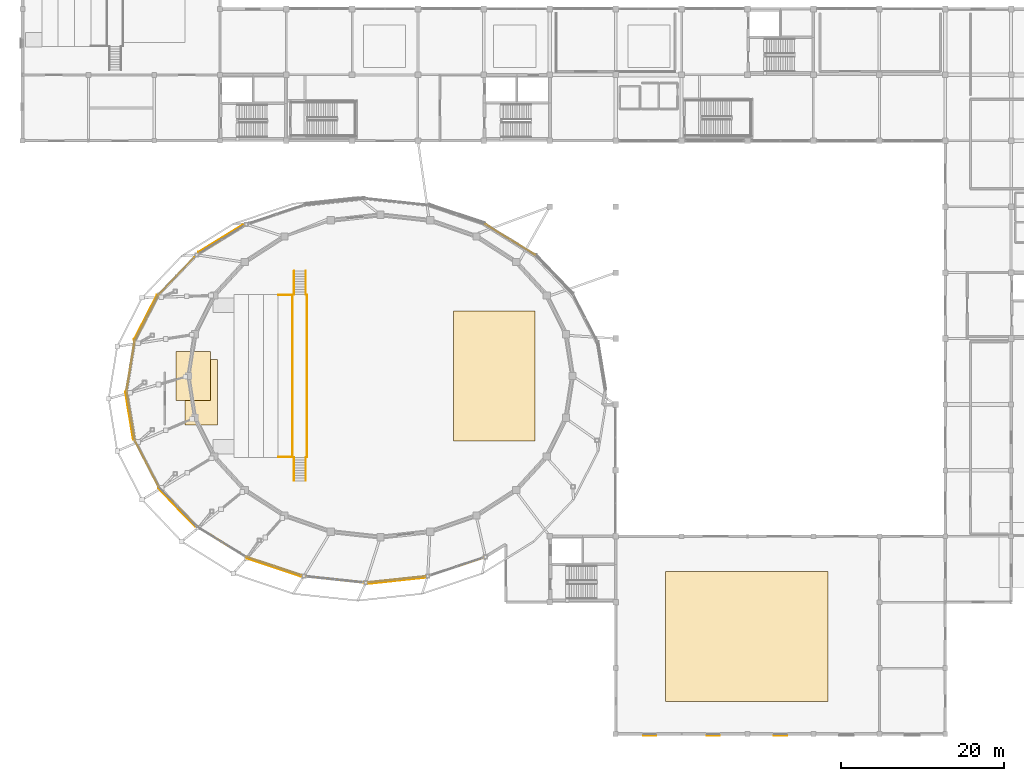
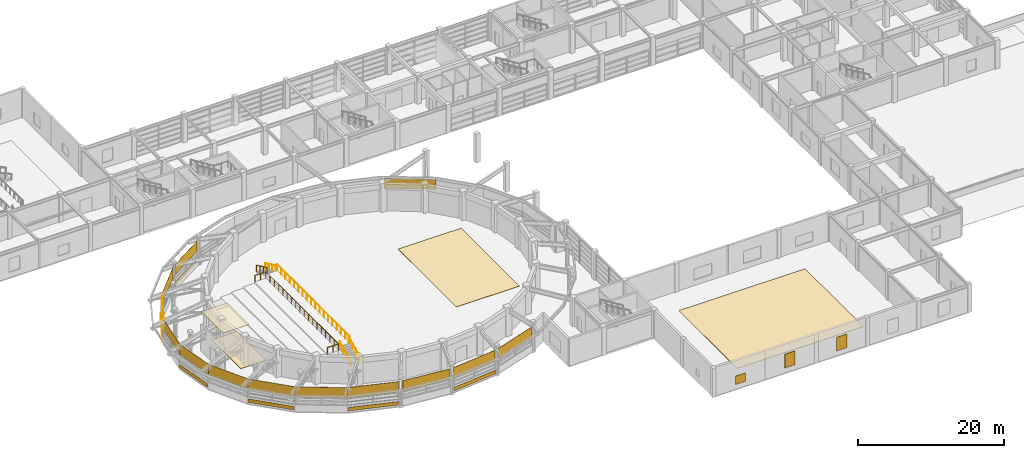
# One storey, part 46 of 56: 23 coverings, 6 railings, 3 shading devices.
"""IFC4 building model written with IfcOpenShell, lengths in metres."""

from ifc_helpers import new_model, si_unit, direction, frame, origin, origin_2d, place, context, subcontext, project, spatial, rectangle, circle, extrude, material, layer, layer_set, type_object, element, save


model = new_model("IFC4")

# Units and contexts
model_context = context("Model", 3, precision=1e-05, world=origin(), true_north=direction((0.0, 1.0)))
body_context = subcontext(model_context, "Body", "Model", "MODEL_VIEW")
ifc_project = project(units=[si_unit("LENGTHUNIT", "METRE"), si_unit("AREAUNIT", "SQUARE_METRE"), si_unit("VOLUMEUNIT", "CUBIC_METRE"), si_unit("PLANEANGLEUNIT", "RADIAN"), si_unit("MASSUNIT", "GRAM", prefix="KILO")], contexts=[model_context])

# Site, building, storey
site_placement = place(None, origin())
site = spatial("IfcSite", under=ifc_project, at=site_placement, CompositionType="ELEMENT")
building_placement = place(site_placement, origin())
building = spatial("IfcBuilding", under=site, at=building_placement, Name="Parian Resonance Hall", CompositionType="ELEMENT")
storey_placement = place(building_placement, frame((0.0, 0.0, 5.39990234375)))
storey = spatial("IfcBuildingStorey", under=building, at=storey_placement, Name="L01", CompositionType="ELEMENT", Elevation=5.39990234375)

# Coverings
ifc_material_1 = material(Name="Perforated mahogany and mineral-wool acoustic ceiling")
ifc_layer_1 = layer(ifc_material_1, 0.0400390625)
ifc_layer_set_1 = layer_set([ifc_layer_1], Name="Perforated mahogany and mineral-wool acoustic ceiling")
covering_type_1 = type_object("IfcCoveringType", Name="COV-CEIL-ACOUSTIC", PredefinedType="CEILING", material=ifc_layer_set_1)
covering_1_placement = place(storey_placement, frame((21.0, 44.0, 4.4921875), z_axis=(0.0, 0.0, 1.0), x_axis=(1.0, 0.0, 0.0)))
element("IfcCovering", 1, at=covering_1_placement, inside=storey, type_object=covering_type_1, Name="Suspended mahogany acoustic ceiling canopy L01-01", PredefinedType="CEILING", context=body_context, shape_type="SweptSolid", body=[
    extrude(rectangle(XDim=4.199951171875, YDim=6.0, at=origin_2d()), origin(), (0.0, 0.0, 1.0), 0.0400390625),
])
ifc_material_2 = material(Name="Sprung Philippine narra hardwood stage flooring", Category="wood")
ifc_layer_2 = layer(ifc_material_2, 0.030029296875)
ifc_layer_set_2 = layer_set([ifc_layer_2], Name="Sprung Philippine narra hardwood stage flooring")
covering_type_2 = type_object("IfcCoveringType", Name="COV-FLOOR-NARRA", PredefinedType="FLOORING", material=ifc_layer_set_2)
covering_2_placement = place(storey_placement, frame((58.0, 44.0, 0.0), z_axis=(0.0, 0.0, 1.0), x_axis=(1.0, 0.0, 0.0)))
element("IfcCovering", 2, at=covering_2_placement, inside=storey, type_object=covering_type_2, Name="Concert Stage sprung narra flooring", PredefinedType="FLOORING", context=body_context, shape_type="SweptSolid", body=[
    extrude(rectangle(XDim=10.0, YDim=16.0, at=origin_2d()), origin(), (0.0, 0.0, 1.0), 0.030029296875),
])
covering_3_placement = place(storey_placement, frame((89.0, 12.0, 0.0), z_axis=(0.0, 0.0, 1.0), x_axis=(1.0, 0.0, 0.0)))
element("IfcCovering", 3, at=covering_3_placement, inside=storey, type_object=covering_type_2, Name="Orchestra Rehearsal Room sprung flooring", PredefinedType="FLOORING", context=body_context, shape_type="SweptSolid", body=[
    extrude(rectangle(XDim=20.0, YDim=16.0, at=origin_2d()), origin(), (0.0, 0.0, 1.0), 0.030029296875),
])
ifc_material_3 = material(Name="Cebu marble-chip lime terrazzo flooring", Category="masonry")
ifc_layer_3 = layer(ifc_material_3, 0.030029296875)
ifc_layer_set_3 = layer_set([ifc_layer_3], Name="Cebu marble-chip lime terrazzo flooring")
covering_type_3 = type_object("IfcCoveringType", Name="COV-FLOOR-TERRAZZO", PredefinedType="FLOORING", material=ifc_layer_set_3)
covering_4_placement = place(storey_placement, frame((22.0, 42.0, 0.0), z_axis=(0.0, 0.0, 1.0), x_axis=(1.0, 0.0, 0.0)))
element("IfcCovering", 4, at=covering_4_placement, inside=storey, type_object=covering_type_3, Name="Ring 1 Foyer terrazzo flooring", PredefinedType="FLOORING", context=body_context, shape_type="SweptSolid", body=[
    extrude(rectangle(XDim=4.0, YDim=8.0, at=origin_2d()), origin(), (0.0, 0.0, 1.0), 0.030029296875),
])
ifc_material_4 = material(Name="Polychrome trencadis ceramic mosaic cladding")
ifc_layer_4 = layer(ifc_material_4, 0.030029296875)
ifc_layer_set_4 = layer_set([ifc_layer_4], Name="Polychrome trencadis ceramic mosaic cladding")
covering_type_4 = type_object("IfcCoveringType", Name="COV-MOSAIC-CLAD", PredefinedType="CLADDING", material=ifc_layer_set_4)
covering_5_placement = place(storey_placement, frame((59.944580078125, 60.762939453125, 2.35498046875), z_axis=(0.0, 0.0, 1.0), x_axis=(0.851440559825, -0.524451116011, 0.0)))
element("IfcCovering", 5, at=covering_5_placement, inside=storey, type_object=covering_type_4, Name="Elliptical R1 upper mosaic frieze cladding 04", PredefinedType="CLADDING", context=body_context, shape_type="SweptSolid", body=[
    extrude(rectangle(XDim=7.1513671875, YDim=0.030029296875, at=origin_2d()), origin(), (0.0, 0.0, 1.0), 1.72509765625),
])
covering_6_placement = place(storey_placement, frame((24.3642578125, 60.9111328125, 0.28759765625), z_axis=(0.0, 0.0, 1.0), x_axis=(0.851434152382, 0.524461518281, 0.0)))
element("IfcCovering", 6, at=covering_6_placement, inside=storey, type_object=covering_type_4, Name="Polychrome ceramic mosaic frieze L01-013", PredefinedType="CLADDING", context=body_context, shape_type="SweptSolid", body=[
    extrude(rectangle(XDim=6.41455078125, YDim=0.030029296875, at=origin_2d()), origin(), (0.0, 0.0, 1.0), 0.574951171875),
])
covering_7_placement = place(storey_placement, frame((24.45556640625, 60.762939453125, 2.35498046875), z_axis=(0.0, 0.0, 1.0), x_axis=(0.851437813793, 0.524455574136, 0.0)))
element("IfcCovering", 7, at=covering_7_placement, inside=storey, type_object=covering_type_4, Name="Elliptical R1 upper mosaic frieze cladding 09", PredefinedType="CLADDING", context=body_context, shape_type="SweptSolid", body=[
    extrude(rectangle(XDim=6.4267578125, YDim=0.030029296875, at=origin_2d()), origin(), (0.0, 0.0, 1.0), 1.72509765625),
])
covering_8_placement = place(storey_placement, frame((18.927490234375, 56.28955078125, 2.35498046875), z_axis=(0.0, 0.0, 1.0), x_axis=(0.690990919445, 0.72286343748, 0.0)))
element("IfcCovering", 8, at=covering_8_placement, inside=storey, type_object=covering_type_4, Name="Elliptical R1 upper mosaic frieze cladding 10", PredefinedType="CLADDING", context=body_context, shape_type="SweptSolid", body=[
    extrude(rectangle(XDim=6.334716796875, YDim=0.030029296875, at=origin_2d()), origin(), (0.0, 0.0, 1.0), 1.72509765625),
])
covering_9_placement = place(storey_placement, frame((15.11572265625, 51.23388671875, 0.28759765625), z_axis=(0.0, 0.0, 1.0), x_axis=(0.458562700233, 0.888662056102, 0.0)))
element("IfcCovering", 9, at=covering_9_placement, inside=storey, type_object=covering_type_4, Name="Polychrome ceramic mosaic frieze L01-016", PredefinedType="CLADDING", context=body_context, shape_type="SweptSolid", body=[
    extrude(rectangle(XDim=6.205078125, YDim=0.030029296875, at=origin_2d()), origin(), (0.0, 0.0, 1.0), 0.574951171875),
])
covering_10_placement = place(storey_placement, frame((15.2705078125, 51.154052734375, 2.35498046875), z_axis=(0.0, 0.0, 1.0), x_axis=(0.458562700233, 0.888662056102, 0.0)))
element("IfcCovering", 10, at=covering_10_placement, inside=storey, type_object=covering_type_4, Name="Elliptical R1 upper mosaic frieze cladding 11", PredefinedType="CLADDING", context=body_context, shape_type="SweptSolid", body=[
    extrude(rectangle(XDim=6.405029296875, YDim=0.030029296875, at=origin_2d()), origin(), (0.0, 0.0, 1.0), 1.72509765625),
])
covering_11_placement = place(storey_placement, frame((13.30078125, 45.254150390625, 2.35498046875), z_axis=(0.0, 0.0, 1.0), x_axis=(0.161850117573, 0.986815352253, 0.0)))
element("IfcCovering", 11, at=covering_11_placement, inside=storey, type_object=covering_type_4, Name="Elliptical R1 upper mosaic frieze cladding 12", PredefinedType="CLADDING", context=body_context, shape_type="SweptSolid", body=[
    extrude(rectangle(XDim=6.189697265625, YDim=0.030029296875, at=origin_2d()), origin(), (0.0, 0.0, 1.0), 1.72509765625),
])
covering_12_placement = place(storey_placement, frame((13.129150390625, 39.117919921875, 0.28759765625), z_axis=(0.0, 0.0, 1.0), x_axis=(-0.161850117573, 0.986815352253, 0.0)))
element("IfcCovering", 12, at=covering_12_placement, inside=storey, type_object=covering_type_4, Name="Polychrome ceramic mosaic frieze L01-019", PredefinedType="CLADDING", context=body_context, shape_type="SweptSolid", body=[
    extrude(rectangle(XDim=5.98974609375, YDim=0.030029296875, at=origin_2d()), origin(), (0.0, 0.0, 1.0), 0.574951171875),
])
covering_13_placement = place(storey_placement, frame((13.30078125, 39.14599609375, 2.35498046875), z_axis=(0.0, 0.0, 1.0), x_axis=(-0.161850117573, 0.986815352253, 0.0)))
element("IfcCovering", 13, at=covering_13_placement, inside=storey, type_object=covering_type_4, Name="Elliptical R1 upper mosaic frieze cladding 13", PredefinedType="CLADDING", context=body_context, shape_type="SweptSolid", body=[
    extrude(rectangle(XDim=6.189697265625, YDim=0.030029296875, at=origin_2d()), origin(), (0.0, 0.0, 1.0), 1.72509765625),
])
covering_14_placement = place(storey_placement, frame((15.2705078125, 33.24609375, 2.35498046875), z_axis=(0.0, 0.0, 1.0), x_axis=(-0.458562700233, 0.888662056102, 0.0)))
element("IfcCovering", 14, at=covering_14_placement, inside=storey, type_object=covering_type_4, Name="Elliptical R1 upper mosaic frieze cladding 14", PredefinedType="CLADDING", context=body_context, shape_type="SweptSolid", body=[
    extrude(rectangle(XDim=6.405029296875, YDim=0.030029296875, at=origin_2d()), origin(), (0.0, 0.0, 1.0), 1.72509765625),
])
covering_15_placement = place(storey_placement, frame((18.94921875, 27.8359375, 0.28759765625), z_axis=(0.0, 0.0, 1.0), x_axis=(-0.690992181078, 0.722862231472, 0.0)))
element("IfcCovering", 15, at=covering_15_placement, inside=storey, type_object=covering_type_4, Name="Polychrome ceramic mosaic frieze L01-022", PredefinedType="CLADDING", context=body_context, shape_type="SweptSolid", body=[
    extrude(rectangle(XDim=6.5615234375, YDim=0.030029296875, at=origin_2d()), origin(), (0.0, 0.0, 1.0), 0.574951171875),
])
covering_16_placement = place(storey_placement, frame((19.074951171875, 27.956298828125, 2.35498046875), z_axis=(0.0, 0.0, 1.0), x_axis=(-0.690992181078, 0.722862231472, 0.0)))
element("IfcCovering", 16, at=covering_16_placement, inside=storey, type_object=covering_type_4, Name="Elliptical R1 upper mosaic frieze cladding 15", PredefinedType="CLADDING", context=body_context, shape_type="SweptSolid", body=[
    extrude(rectangle(XDim=6.76171875, YDim=0.030029296875, at=origin_2d()), origin(), (0.0, 0.0, 1.0), 1.72509765625),
])
covering_17_placement = place(storey_placement, frame((24.45556640625, 23.63720703125, 2.35498046875), z_axis=(0.0, 0.0, 1.0), x_axis=(-0.851440559825, 0.524451116011, 0.0)))
element("IfcCovering", 17, at=covering_17_placement, inside=storey, type_object=covering_type_4, Name="Elliptical R1 upper mosaic frieze cladding 16", PredefinedType="CLADDING", context=body_context, shape_type="SweptSolid", body=[
    extrude(rectangle(XDim=7.1513671875, YDim=0.030029296875, at=origin_2d()), origin(), (0.0, 0.0, 1.0), 1.72509765625),
])
covering_18_placement = place(storey_placement, frame((30.876220703125, 20.455810546875, 0.28759765625), z_axis=(0.0, 0.0, 1.0), x_axis=(-0.948923379344, 0.315506608701, 0.0)))
element("IfcCovering", 18, at=covering_18_placement, inside=storey, type_object=covering_type_4, Name="Polychrome ceramic mosaic frieze L01-025", PredefinedType="CLADDING", context=body_context, shape_type="SweptSolid", body=[
    extrude(rectangle(XDim=7.031494140625, YDim=0.030029296875, at=origin_2d()), origin(), (0.0, 0.0, 1.0), 0.574951171875),
])
covering_19_placement = place(storey_placement, frame((30.89111328125, 20.63427734375, 2.35498046875), z_axis=(0.0, 0.0, 1.0), x_axis=(-0.948923930006, 0.315504952517, 0.0)))
element("IfcCovering", 19, at=covering_19_placement, inside=storey, type_object=covering_type_4, Name="Elliptical R1 upper mosaic frieze cladding 17", PredefinedType="CLADDING", context=body_context, shape_type="SweptSolid", body=[
    extrude(rectangle(XDim=7.147216796875, YDim=0.030029296875, at=origin_2d()), origin(), (0.0, 0.0, 1.0), 1.72509765625),
])
covering_20_placement = place(storey_placement, frame((38.3955078125, 19.002197265625, 2.35498046875), z_axis=(0.0, 0.0, 1.0), x_axis=(-0.994461342905, 0.105102985052, 0.0)))
element("IfcCovering", 20, at=covering_20_placement, inside=storey, type_object=covering_type_4, Name="Elliptical R1 upper mosaic frieze cladding 18", PredefinedType="CLADDING", context=body_context, shape_type="SweptSolid", body=[
    extrude(rectangle(XDim=7.03125, YDim=0.030029296875, at=origin_2d()), origin(), (0.0, 0.0, 1.0), 1.72509765625),
])
covering_21_placement = place(storey_placement, frame((46.02294921875, 18.8291015625, 0.28759765625), z_axis=(0.0, 0.0, 1.0), x_axis=(-0.994460058756, -0.105115134682, 0.0)))
element("IfcCovering", 21, at=covering_21_placement, inside=storey, type_object=covering_type_4, Name="Polychrome ceramic mosaic frieze L01-028", PredefinedType="CLADDING", context=body_context, shape_type="SweptSolid", body=[
    extrude(rectangle(XDim=6.9921875, YDim=0.030029296875, at=origin_2d()), origin(), (0.0, 0.0, 1.0), 0.574951171875),
])
covering_22_placement = place(storey_placement, frame((46.004638671875, 19.002197265625, 2.35498046875), z_axis=(0.0, 0.0, 1.0), x_axis=(-0.994461342905, -0.105102985052, 0.0)))
element("IfcCovering", 22, at=covering_22_placement, inside=storey, type_object=covering_type_4, Name="Elliptical R1 upper mosaic frieze cladding 19", PredefinedType="CLADDING", context=body_context, shape_type="SweptSolid", body=[
    extrude(rectangle(XDim=7.03125, YDim=0.030029296875, at=origin_2d()), origin(), (0.0, 0.0, 1.0), 1.72509765625),
])
covering_23_placement = place(storey_placement, frame((53.354736328125, 20.5830078125, 2.35498046875), z_axis=(0.0, 0.0, 1.0), x_axis=(-0.94892503132, -0.315501640145, 0.0)))
element("IfcCovering", 23, at=covering_23_placement, inside=storey, type_object=covering_type_4, Name="Elliptical R1 upper mosaic frieze cladding 20", PredefinedType="CLADDING", context=body_context, shape_type="SweptSolid", body=[
    extrude(rectangle(XDim=6.822021484375, YDim=0.030029296875, at=origin_2d()), origin(), (0.0, 0.0, 1.0), 1.72509765625),
])

# Railings
ifc_material_5 = material(Name="Patinated bronze whiplash metalwork")
railing_type_1 = type_object("IfcRailingType", Name="RAIL-HALL-BAL-1120", PredefinedType="BALUSTRADE", material=ifc_material_5)
railing_1_placement = place(storey_placement, frame((34.9599609375, 34.0400390625, 1.5)))
element("IfcRailing", 24, at=railing_1_placement, inside=storey, type_object=railing_type_1, Name="Auditorium upper tier balustrade GRD-TIER-L01-MH-E", PredefinedType="BALUSTRADE", context=body_context, shape_type="SweptSolid", body=[
    extrude(circle(Radius=0.02392578125, at=origin_2d()), frame((0.0, 0.0, 1.09619140625), z_axis=(0.0, 1.0, 0.0), x_axis=(-1.0, 0.0, 0.0)), (0.0, 0.0, 1.0), 19.919921875),
    extrude(circle(Radius=0.02099609375, at=origin_2d()), origin(), (0.0, 0.0, 1.0), 1.072021484375),
    extrude(circle(Radius=0.02099609375, at=origin_2d()), frame((0.0, 1.171875, 0.0)), (0.0, 0.0, 1.0), 1.072021484375),
    extrude(circle(Radius=0.02099609375, at=origin_2d()), frame((0.0, 2.343505859375, 0.0)), (0.0, 0.0, 1.0), 1.072021484375),
    extrude(circle(Radius=0.02099609375, at=origin_2d()), frame((0.0, 3.515380859375, 0.0)), (0.0, 0.0, 1.0), 1.072021484375),
    extrude(circle(Radius=0.02099609375, at=origin_2d()), frame((0.0, 4.68701171875, 0.0)), (0.0, 0.0, 1.0), 1.072021484375),
    extrude(circle(Radius=0.02099609375, at=origin_2d()), frame((0.0, 5.85888671875, 0.0)), (0.0, 0.0, 1.0), 1.072021484375),
    extrude(circle(Radius=0.02099609375, at=origin_2d()), frame((0.0, 7.030517578125, 0.0)), (0.0, 0.0, 1.0), 1.072021484375),
    extrude(circle(Radius=0.02099609375, at=origin_2d()), frame((0.0, 8.202392578125, 0.0)), (0.0, 0.0, 1.0), 1.072021484375),
    extrude(circle(Radius=0.02099609375, at=origin_2d()), frame((0.0, 9.3740234375, 0.0)), (0.0, 0.0, 1.0), 1.072021484375),
    extrude(circle(Radius=0.02099609375, at=origin_2d()), frame((0.0, 10.5458984375, 0.0)), (0.0, 0.0, 1.0), 1.072021484375),
    extrude(circle(Radius=0.02099609375, at=origin_2d()), frame((0.0, 11.717529296875, 0.0)), (0.0, 0.0, 1.0), 1.072021484375),
    extrude(circle(Radius=0.02099609375, at=origin_2d()), frame((0.0, 12.889404296875, 0.0)), (0.0, 0.0, 1.0), 1.072021484375),
    extrude(circle(Radius=0.02099609375, at=origin_2d()), frame((0.0, 14.06103515625, 0.0)), (0.0, 0.0, 1.0), 1.072021484375),
    extrude(circle(Radius=0.02099609375, at=origin_2d()), frame((0.0, 15.23291015625, 0.0)), (0.0, 0.0, 1.0), 1.072021484375),
    extrude(circle(Radius=0.02099609375, at=origin_2d()), frame((0.0, 16.404541015625, 0.0)), (0.0, 0.0, 1.0), 1.072021484375),
    extrude(circle(Radius=0.02099609375, at=origin_2d()), frame((0.0, 17.576416015625, 0.0)), (0.0, 0.0, 1.0), 1.072021484375),
    extrude(circle(Radius=0.02099609375, at=origin_2d()), frame((0.0, 18.748046875, 0.0)), (0.0, 0.0, 1.0), 1.072021484375),
    extrude(circle(Radius=0.02099609375, at=origin_2d()), frame((0.0, 19.919921875, 0.0)), (0.0, 0.0, 1.0), 1.072021484375),
])
railing_2_placement = place(storey_placement, frame((31.43994140625, 34.0400390625, 0.8701171875)))
element("IfcRailing", 25, at=railing_2_placement, inside=storey, type_object=railing_type_1, Name="Auditorium upper tier balustrade GRD-TIER-L01-MH-4", PredefinedType="BALUSTRADE", context=body_context, shape_type="SweptSolid", body=[
    extrude(circle(Radius=0.02392578125, at=origin_2d()), frame((0.0, 0.0, 1.09619140625), z_axis=(1.0, 0.0, 0.0), x_axis=(0.0, 1.0, 0.0)), (0.0, 0.0, 1.0), 1.739990234375),
    extrude(circle(Radius=0.02392578125, at=origin_2d()), frame((1.739990234375, 0.0, 1.09619140625), z_axis=(0.0, 1.0, 0.0), x_axis=(-1.0, 0.0, 0.0)), (0.0, 0.0, 1.0), 19.919921875),
    extrude(circle(Radius=0.02392578125, at=origin_2d()), frame((1.739990234375, 19.919921875, 1.09619140625), z_axis=(-1.0, 0.0, 0.0), x_axis=(0.0, -1.0, 0.0)), (0.0, 0.0, 1.0), 1.739990234375),
    extrude(circle(Radius=0.02099609375, at=origin_2d()), origin(), (0.0, 0.0, 1.0), 1.072021484375),
    extrude(circle(Radius=0.02099609375, at=origin_2d()), frame((0.8701171875, 0.0, 0.0)), (0.0, 0.0, 1.0), 1.072021484375),
    extrude(circle(Radius=0.02099609375, at=origin_2d()), frame((1.739990234375, 0.0, 0.0)), (0.0, 0.0, 1.0), 1.072021484375),
    extrude(circle(Radius=0.02099609375, at=origin_2d()), frame((1.739990234375, 1.171875, 0.0)), (0.0, 0.0, 1.0), 1.072021484375),
    extrude(circle(Radius=0.02099609375, at=origin_2d()), frame((1.739990234375, 2.343505859375, 0.0)), (0.0, 0.0, 1.0), 1.072021484375),
    extrude(circle(Radius=0.02099609375, at=origin_2d()), frame((1.739990234375, 3.515380859375, 0.0)), (0.0, 0.0, 1.0), 1.072021484375),
    extrude(circle(Radius=0.02099609375, at=origin_2d()), frame((1.739990234375, 4.68701171875, 0.0)), (0.0, 0.0, 1.0), 1.072021484375),
    extrude(circle(Radius=0.02099609375, at=origin_2d()), frame((1.739990234375, 5.85888671875, 0.0)), (0.0, 0.0, 1.0), 1.072021484375),
    extrude(circle(Radius=0.02099609375, at=origin_2d()), frame((1.739990234375, 7.030517578125, 0.0)), (0.0, 0.0, 1.0), 1.072021484375),
    extrude(circle(Radius=0.02099609375, at=origin_2d()), frame((1.739990234375, 8.202392578125, 0.0)), (0.0, 0.0, 1.0), 1.072021484375),
    extrude(circle(Radius=0.02099609375, at=origin_2d()), frame((1.739990234375, 9.3740234375, 0.0)), (0.0, 0.0, 1.0), 1.072021484375),
    extrude(circle(Radius=0.02099609375, at=origin_2d()), frame((1.739990234375, 10.5458984375, 0.0)), (0.0, 0.0, 1.0), 1.072021484375),
    extrude(circle(Radius=0.02099609375, at=origin_2d()), frame((1.739990234375, 11.717529296875, 0.0)), (0.0, 0.0, 1.0), 1.072021484375),
    extrude(circle(Radius=0.02099609375, at=origin_2d()), frame((1.739990234375, 12.889404296875, 0.0)), (0.0, 0.0, 1.0), 1.072021484375),
    extrude(circle(Radius=0.02099609375, at=origin_2d()), frame((1.739990234375, 14.06103515625, 0.0)), (0.0, 0.0, 1.0), 1.072021484375),
    extrude(circle(Radius=0.02099609375, at=origin_2d()), frame((1.739990234375, 15.23291015625, 0.0)), (0.0, 0.0, 1.0), 1.072021484375),
    extrude(circle(Radius=0.02099609375, at=origin_2d()), frame((1.739990234375, 16.404541015625, 0.0)), (0.0, 0.0, 1.0), 1.072021484375),
    extrude(circle(Radius=0.02099609375, at=origin_2d()), frame((1.739990234375, 17.576416015625, 0.0)), (0.0, 0.0, 1.0), 1.072021484375),
    extrude(circle(Radius=0.02099609375, at=origin_2d()), frame((1.739990234375, 18.748046875, 0.0)), (0.0, 0.0, 1.0), 1.072021484375),
    extrude(circle(Radius=0.02099609375, at=origin_2d()), frame((1.739990234375, 19.919921875, 0.0)), (0.0, 0.0, 1.0), 1.072021484375),
    extrude(circle(Radius=0.02099609375, at=origin_2d()), frame((0.8701171875, 19.919921875, 0.0)), (0.0, 0.0, 1.0), 1.072021484375),
    extrude(circle(Radius=0.02099609375, at=origin_2d()), frame((0.0, 19.919921875, 0.0)), (0.0, 0.0, 1.0), 1.072021484375),
])
ifc_material_6 = material(Name="Patinated bronze whiplash metalwork")
railing_type_2 = type_object("IfcRailingType", Name="RAIL-STAIR-GRD-1100", PredefinedType="GUARDRAIL", material=ifc_material_6)
railing_3_placement = place(storey_placement, frame((34.820068359375, 31.1201171875, 0.150146484375)))
element("IfcRailing", 26, at=railing_3_placement, inside=storey, type_object=railing_type_2, Name="Auditorium aisle guard ST-T01", PredefinedType="GUARDRAIL", context=body_context, shape_type="SweptSolid", body=[
    extrude(circle(Radius=0.02392578125, at=origin_2d()), frame((0.0, 0.0, 1.076171875), z_axis=(0.0, 0.905469998052, 0.424410276299), x_axis=(-1.0, 0.0, 0.0)), (0.0, 0.0, 1.0), 3.180419921875),
    extrude(circle(Radius=0.02099609375, at=origin_2d()), origin(), (0.0, 0.0, 1.0), 1.052001953125),
    extrude(circle(Radius=0.02099609375, at=origin_2d()), frame((0.0, 0.9599609375, 0.449951171875)), (0.0, 0.0, 1.0), 1.052001953125),
    extrude(circle(Radius=0.02099609375, at=origin_2d()), frame((0.0, 1.919921875, 0.89990234375)), (0.0, 0.0, 1.0), 1.052001953125),
    extrude(circle(Radius=0.02099609375, at=origin_2d()), frame((0.0, 2.8798828125, 1.349853515625)), (0.0, 0.0, 1.0), 1.052001953125),
])
railing_4_placement = place(storey_placement, frame((33.3798828125, 56.8798828125, 0.150146484375)))
element("IfcRailing", 27, at=railing_4_placement, inside=storey, type_object=railing_type_2, Name="Auditorium aisle guard ST-T02", PredefinedType="GUARDRAIL", context=body_context, shape_type="SweptSolid", body=[
    extrude(circle(Radius=0.02392578125, at=origin_2d()), frame((0.0, 0.0, 1.076171875), z_axis=(0.0, -0.905469998052, 0.424410276299), x_axis=(1.0, 0.0, 0.0)), (0.0, 0.0, 1.0), 3.180419921875),
    extrude(circle(Radius=0.02099609375, at=origin_2d()), origin(), (0.0, 0.0, 1.0), 1.052001953125),
    extrude(circle(Radius=0.02099609375, at=origin_2d()), frame((0.0, -0.9599609375, 0.449951171875)), (0.0, 0.0, 1.0), 1.052001953125),
    extrude(circle(Radius=0.02099609375, at=origin_2d()), frame((0.0, -1.919921875, 0.89990234375)), (0.0, 0.0, 1.0), 1.052001953125),
    extrude(circle(Radius=0.02099609375, at=origin_2d()), frame((0.0, -2.8798828125, 1.349853515625)), (0.0, 0.0, 1.0), 1.052001953125),
])
ifc_material_7 = material(Name="Patinated bronze whiplash metalwork")
railing_type_3 = type_object("IfcRailingType", Name="RAIL-STAIR-HR-900", PredefinedType="HANDRAIL", material=ifc_material_7)
railing_5_placement = place(storey_placement, frame((33.3798828125, 31.1201171875, 0.150146484375)))
element("IfcRailing", 28, at=railing_5_placement, inside=storey, type_object=railing_type_3, Name="Auditorium aisle handrail ST-T01", PredefinedType="HANDRAIL", context=body_context, shape_type="SweptSolid", body=[
    extrude(circle(Radius=0.02392578125, at=origin_2d()), frame((0.0, 0.0, 0.8759765625), z_axis=(0.0, 0.905469998052, 0.424410276299), x_axis=(-1.0, 0.0, 0.0)), (0.0, 0.0, 1.0), 3.180419921875),
    extrude(circle(Radius=0.02099609375, at=origin_2d()), origin(), (0.0, 0.0, 1.0), 0.851806640625),
    extrude(circle(Radius=0.02099609375, at=origin_2d()), frame((0.0, 0.9599609375, 0.449951171875)), (0.0, 0.0, 1.0), 0.851806640625),
    extrude(circle(Radius=0.02099609375, at=origin_2d()), frame((0.0, 1.919921875, 0.89990234375)), (0.0, 0.0, 1.0), 0.851806640625),
    extrude(circle(Radius=0.02099609375, at=origin_2d()), frame((0.0, 2.8798828125, 1.349853515625)), (0.0, 0.0, 1.0), 0.851806640625),
])
railing_6_placement = place(storey_placement, frame((34.820068359375, 56.8798828125, 0.150146484375)))
element("IfcRailing", 29, at=railing_6_placement, inside=storey, type_object=railing_type_3, Name="Auditorium aisle handrail ST-T02", PredefinedType="HANDRAIL", context=body_context, shape_type="SweptSolid", body=[
    extrude(circle(Radius=0.02392578125, at=origin_2d()), frame((0.0, 0.0, 0.8759765625), z_axis=(0.0, -0.905469998052, 0.424410276299), x_axis=(1.0, 0.0, 0.0)), (0.0, 0.0, 1.0), 3.180419921875),
    extrude(circle(Radius=0.02099609375, at=origin_2d()), origin(), (0.0, 0.0, 1.0), 0.851806640625),
    extrude(circle(Radius=0.02099609375, at=origin_2d()), frame((0.0, -0.9599609375, 0.449951171875)), (0.0, 0.0, 1.0), 0.851806640625),
    extrude(circle(Radius=0.02099609375, at=origin_2d()), frame((0.0, -1.919921875, 0.89990234375)), (0.0, 0.0, 1.0), 0.851806640625),
    extrude(circle(Radius=0.02099609375, at=origin_2d()), frame((0.0, -2.8798828125, 1.349853515625)), (0.0, 0.0, 1.0), 0.851806640625),
])

# Shading devices
ifc_material_8 = material(Name="Patinated bronze persiana louver")
ifc_layer_5 = layer(ifc_material_8, 0.06005859375)
ifc_layer_set_5 = layer_set([ifc_layer_5], Name="Patinated bronze persiana louver")
shading_device_type = type_object("IfcShadingDeviceType", Name="SHD-PERSIANA-SHT", PredefinedType="SHUTTER", material=ifc_layer_set_5)
shading_device_1_placement = place(storey_placement, frame((77.10009765625, -0.2080078125, 0.860107421875), z_axis=(0.0, 0.0, 1.0), x_axis=(-1.0, 0.0, 0.0)))
element("IfcShadingDevice", 30, at=shading_device_1_placement, inside=storey, type_object=shading_device_type, Name="Bronze operable persiana shutter L01-020", PredefinedType="SHUTTER", context=body_context, shape_type="SweptSolid", body=[
    extrude(rectangle(XDim=1.570068359375, YDim=0.06005859375, at=origin_2d()), origin(), (0.0, 0.0, 1.0), 1.3798828125),
])
shading_device_2_placement = place(storey_placement, frame((84.89990234375, -0.2080078125, 0.860107421875), z_axis=(0.0, 0.0, 1.0), x_axis=(-1.0, 0.0, 0.0)))
element("IfcShadingDevice", 31, at=shading_device_2_placement, inside=storey, type_object=shading_device_type, Name="Bronze operable persiana shutter L01-022", PredefinedType="SHUTTER", context=body_context, shape_type="SweptSolid", body=[
    extrude(rectangle(XDim=1.570068359375, YDim=0.06005859375, at=origin_2d()), origin(), (0.0, 0.0, 1.0), 2.330078125),
])
shading_device_3_placement = place(storey_placement, frame((93.14990234375, -0.2080078125, 0.85986328125), z_axis=(0.0, 0.0, 1.0), x_axis=(-1.0, 0.0, 0.0)))
element("IfcShadingDevice", 32, at=shading_device_3_placement, inside=storey, type_object=shading_device_type, Name="Bronze operable persiana shutter L01-026", PredefinedType="SHUTTER", context=body_context, shape_type="SweptSolid", body=[
    extrude(rectangle(XDim=1.669921875, YDim=0.06005859375, at=origin_2d()), origin(), (0.0, 0.0, 1.0), 2.280029296875),
])

save(model, "model.ifc")
